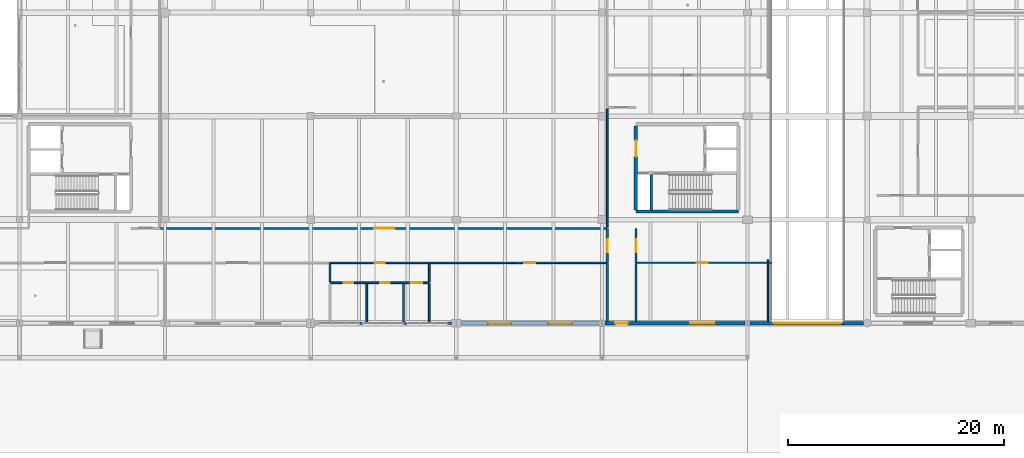
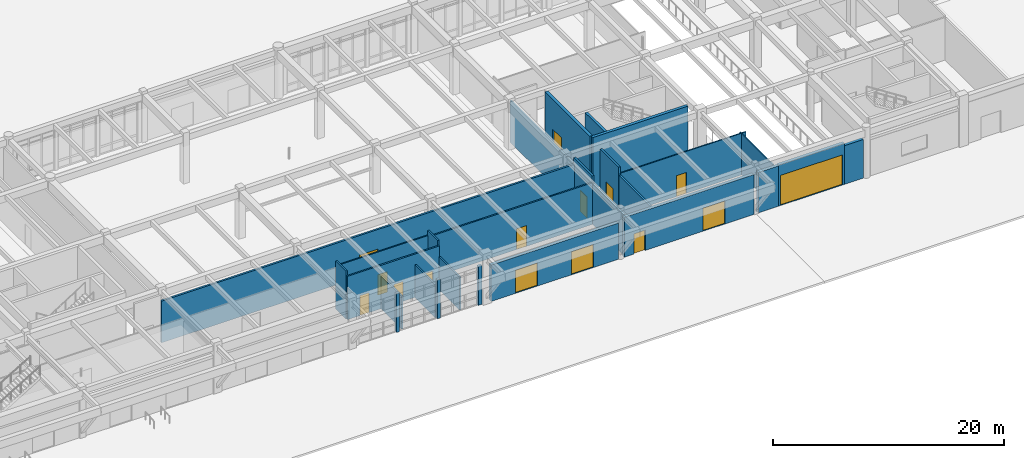
# One storey, part 110 of 138: 27 walls, 15 doors, 15 openings.
"""IFC4 building model written with IfcOpenShell, lengths in metres."""

from ifc_helpers import new_model, si_unit, direction, frame, frame_2d, origin, place, context, subcontext, project, spatial, rectangle, extrude, material, layer, layer_set, type_object, element, fill, save


model = new_model("IFC4")

# Units and contexts
model_context = context("Model", 3, precision=1e-05, world=origin(), true_north=direction((0.0, 1.0)))
body_context = subcontext(model_context, "Body", "Model", "MODEL_VIEW")
ifc_project = project(units=[si_unit("LENGTHUNIT", "METRE"), si_unit("AREAUNIT", "SQUARE_METRE"), si_unit("VOLUMEUNIT", "CUBIC_METRE"), si_unit("PLANEANGLEUNIT", "RADIAN"), si_unit("MASSUNIT", "GRAM", prefix="KILO")], contexts=[model_context])

# Site, building, storey
site_placement = place(None, origin())
site = spatial("IfcSite", under=ifc_project, at=site_placement, CompositionType="ELEMENT")
building_placement = place(site_placement, origin())
building = spatial("IfcBuilding", under=site, at=building_placement, Name="Fikremerkos Civic Library", CompositionType="ELEMENT")
storey_placement = place(building_placement, origin())
storey = spatial("IfcBuildingStorey", under=building, at=storey_placement, Name="L00", CompositionType="ELEMENT", Elevation=0.0)

# Wall
ifc_material_1 = material(Name="Concrete C40/50", Category="concrete")
ifc_layer_1 = layer(ifc_material_1, 0.300048828125, Name="Concrete C40/50")
ifc_layer_set_1 = layer_set([ifc_layer_1], Name="Concrete C40/50")
wall_type_1 = type_object("IfcWallType", Name="Core shear wall CSW-01 300", PredefinedType="SHEAR", material=ifc_layer_set_1)
wall_1_placement = place(storey_placement, frame((112.85009765625, 22.35009765625, 0.0), z_axis=(0.0, 0.0, 1.0), x_axis=(-1.0, 0.0, 0.0)))
element("IfcWall", 1, at=wall_1_placement, inside=storey, type_object=wall_type_1, Name="Core K2 south shear wall L00", PredefinedType="SHEAR", context=body_context, shape_type="SweptSolid", body=[
    extrude(rectangle(XDim=9.5, YDim=0.300048828125, at=frame_2d((4.75, 0.0))), origin(), (0.0, 0.0, 1.0), 5.39990234375),
])

# Wall, opening, door
wall_2_placement = place(storey_placement, frame((103.35009765625, 22.501953125, 0.0), z_axis=(0.0, 0.0, 1.0), x_axis=(0.0, 1.0, 0.0)))
wall_2 = element("IfcWall", 2, at=wall_2_placement, inside=storey, type_object=wall_type_1, Name="Core K2 west shear wall L00", PredefinedType="SHEAR", context=body_context, shape_type="SweptSolid", body=[
    extrude(rectangle(XDim=7.796142578125, YDim=0.300048828125, at=frame_2d((3.89794921875, 0.0))), origin(), (0.0, 0.0, 1.0), 5.39990234375),
])
opening_1_placement = place(wall_2_placement, frame((4.947998046875, 0.0, 0.0)))
opening_1 = element("IfcOpeningElement", 3, at=opening_1_placement, cuts=wall_2, Name="Opening D059", PredefinedType="OPENING", context=body_context, shape_type="SweptSolid", body=[
    extrude(rectangle(XDim=1.5, YDim=2.25, at=frame_2d((0.75, 1.125))), frame((0.0, 0.159912109375, 0.0), z_axis=(0.0, -1.0, 0.0), x_axis=(1.0, 0.0, 0.0)), (0.0, 0.0, 1.0), 0.320068359375),
])
ifc_material_2 = material(Name="Hardwood timber and acoustic glass", Category="wood")
door_type_1 = type_object("IfcDoorType", Name="Pedestrian door DT-05 1500x2250", OperationType="NOTDEFINED", PredefinedType="DOOR", material=ifc_material_2)
door_1_placement = place(opening_1_placement, origin())
door_1 = element("IfcDoor", 4, at=door_1_placement, inside=storey, type_object=door_type_1, Name="Core K2 lobby fire door D059 L00", OperationType="SINGLE_SWING_LEFT", OverallHeight=2.25, OverallWidth=1.5, PredefinedType="DOOR", context=body_context, shape_type="SweptSolid", body=[
    extrude(rectangle(XDim=1.5, YDim=2.25, at=frame_2d((0.75, 1.125))), frame((0.0, 0.032470703125, 0.0), z_axis=(0.0, -1.0, 0.0), x_axis=(1.0, 0.0, 0.0)), (0.0, 0.0, 1.0), 0.06494140625),
])
fill(opening_1, door_1)

# Walls
ifc_layer_2 = layer(ifc_material_1, 0.260009765625, Name="Concrete C40/50")
ifc_layer_set_2 = layer_set([ifc_layer_2], Name="Concrete C40/50")
wall_type_2 = type_object("IfcWallType", Name="Core shear wall CSW-02 260", PredefinedType="SHEAR", material=ifc_layer_set_2)
wall_3_placement = place(storey_placement, frame((104.77001953125, 22.501953125, 0.0), z_axis=(0.0, 0.0, 1.0), x_axis=(0.0, 1.0, 0.0)))
element("IfcWall", 5, at=wall_3_placement, inside=storey, type_object=wall_type_2, Name="Core K2 stair-riser shear wall L00", PredefinedType="SHEAR", context=body_context, shape_type="SweptSolid", body=[
    extrude(rectangle(XDim=3.296142578125, YDim=0.260009765625, at=frame_2d((1.64794921875, 0.0))), origin(), (0.0, 0.0, 1.0), 5.39990234375),
])
ifc_material_3 = material(Name="Precast concrete C40/50", Category="concrete")
ifc_layer_3 = layer(ifc_material_3, 0.320068359375, Name="Precast concrete C40/50")
ifc_layer_set_3 = layer_set([ifc_layer_3], Name="Precast concrete C40/50")
wall_type_3 = type_object("IfcWallType", Name="Exterior solid wall ESW-02 320", PredefinedType="SOLIDWALL", material=ifc_layer_set_3)
wall_4_placement = place(storey_placement, frame((115.947998046875, 12.0, 0.0), z_axis=(0.0, 0.0, 1.0), x_axis=(-1.0, 0.0, 0.0)))
element("IfcWall", 6, at=wall_4_placement, inside=storey, type_object=wall_type_3, Name="Exterior solid wall ESW-02 L00 #166", PredefinedType="SOLIDWALL", context=body_context, shape_type="SweptSolid", body=[
    extrude(rectangle(XDim=2.02490234375, YDim=0.320068359375, at=frame_2d((1.012451171875, 0.0))), origin(), (0.0, 0.0, 1.0), 4.27001953125),
])

# Wall, openings, doors
wall_5_placement = place(storey_placement, frame((113.47705078125, 12.0, 0.0), z_axis=(0.0, 0.0, 1.0), x_axis=(-1.0, 0.0, 0.0)))
wall_5 = element("IfcWall", 7, at=wall_5_placement, inside=storey, type_object=wall_type_3, Name="Exterior ground wall ESW-02 #167", PredefinedType="SOLIDWALL", context=body_context, shape_type="SweptSolid", body=[
    extrude(rectangle(XDim=12.97900390625, YDim=0.320068359375, at=frame_2d((6.489501953125, 0.0))), origin(), (0.0, 0.0, 1.0), 4.219970703125),
])
opening_2_placement = place(wall_5_placement, frame((10.882080078125, 0.0, 0.0)))
opening_2 = element("IfcOpeningElement", 8, at=opening_2_placement, cuts=wall_5, Name="Opening D001", PredefinedType="OPENING", context=body_context, shape_type="SweptSolid", body=[
    extrude(rectangle(XDim=1.14990234375, YDim=2.14990234375, at=frame_2d((0.574951171875, 1.074951171875))), frame((0.0, 0.169921875, 0.0), z_axis=(0.0, -1.0, 0.0), x_axis=(1.0, 0.0, 0.0)), (0.0, 0.0, 1.0), 0.340087890625),
])
opening_3_placement = place(wall_5_placement, frame((2.876953125, 0.0, 0.0)))
opening_3 = element("IfcOpeningElement", 9, at=opening_3_placement, cuts=wall_5, Name="Opening D002", PredefinedType="OPENING", context=body_context, shape_type="SweptSolid", body=[
    extrude(rectangle(XDim=2.199951171875, YDim=2.449951171875, at=frame_2d((1.10009765625, 1.22509765625))), frame((0.0, 0.169921875, 0.0), z_axis=(0.0, -1.0, 0.0), x_axis=(1.0, 0.0, 0.0)), (0.0, 0.0, 1.0), 0.340087890625),
])
ifc_material_4 = material(Name="Thermally broken bronze aluminium and glass", Category="aluminium")
door_type_2 = type_object("IfcDoorType", Name="Pedestrian door DT-10 2200x2450", OperationType="NOTDEFINED", PredefinedType="DOOR", material=ifc_material_4)
door_2_placement = place(opening_3_placement, origin())
door_2 = element("IfcDoor", 10, at=door_2_placement, inside=storey, type_object=door_type_2, Name="Ground final exit pedestrian door D002", OperationType="SINGLE_SWING_LEFT", OverallHeight=2.449951171875, OverallWidth=2.199951171875, PredefinedType="DOOR", context=body_context, shape_type="SweptSolid", body=[
    extrude(rectangle(XDim=2.199951171875, YDim=2.449951171875, at=frame_2d((1.10009765625, 1.22509765625))), frame((0.0, 0.032470703125, 0.0), z_axis=(0.0, -1.0, 0.0), x_axis=(1.0, 0.0, 0.0)), (0.0, 0.0, 1.0), 0.06494140625),
])
fill(opening_3, door_2)
door_type_3 = type_object("IfcDoorType", Name="Pedestrian door DT-14 1150x2150", OperationType="NOTDEFINED", PredefinedType="DOOR", material=ifc_material_4)
door_3_placement = place(opening_2_placement, origin())
door_3 = element("IfcDoor", 11, at=door_3_placement, inside=storey, type_object=door_type_3, Name="Core K2 final exit discharge door D001", OperationType="SINGLE_SWING_RIGHT", OverallHeight=2.14990234375, OverallWidth=1.14990234375, PredefinedType="DOOR", context=body_context, shape_type="SweptSolid", body=[
    extrude(rectangle(XDim=1.14990234375, YDim=2.14990234375, at=frame_2d((0.574951171875, 1.074951171875))), frame((0.0, 0.032470703125, 0.0), z_axis=(0.0, -1.0, 0.0), x_axis=(1.0, 0.0, 0.0)), (0.0, 0.0, 1.0), 0.06494140625),
])
fill(opening_2, door_3)

wall_6_placement = place(storey_placement, frame((99.902099609375, 12.0, 0.0), z_axis=(0.0, 0.0, 1.0), x_axis=(-1.0, 0.0, 0.0)))
wall_6 = element("IfcWall", 12, at=wall_6_placement, inside=storey, type_object=wall_type_3, Name="Exterior ground wall ESW-02 #168", PredefinedType="SOLIDWALL", context=body_context, shape_type="SweptSolid", body=[
    extrude(rectangle(XDim=12.754150390625, YDim=0.320068359375, at=frame_2d((6.376953125, 0.0))), origin(), (0.0, 0.0, 1.0), 3.840087890625),
])
opening_4_placement = place(wall_6_placement, frame((2.47119140625, 0.0, 0.0)))
opening_4 = element("IfcOpeningElement", 13, at=opening_4_placement, cuts=wall_6, Name="Opening D003", PredefinedType="OPENING", context=body_context, shape_type="SweptSolid", body=[
    extrude(rectangle(XDim=2.199951171875, YDim=2.449951171875, at=frame_2d((1.10009765625, 1.22509765625))), frame((0.0, 0.169921875, 0.0), z_axis=(0.0, -1.0, 0.0), x_axis=(1.0, 0.0, 0.0)), (0.0, 0.0, 1.0), 0.340087890625),
])
opening_5_placement = place(wall_6_placement, frame((8.082763671875, 0.0, 0.0)))
opening_5 = element("IfcOpeningElement", 14, at=opening_5_placement, cuts=wall_6, Name="Opening D004", PredefinedType="OPENING", context=body_context, shape_type="SweptSolid", body=[
    extrude(rectangle(XDim=2.199951171875, YDim=2.449951171875, at=frame_2d((1.10009765625, 1.22509765625))), frame((0.0, 0.169921875, 0.0), z_axis=(0.0, -1.0, 0.0), x_axis=(1.0, 0.0, 0.0)), (0.0, 0.0, 1.0), 0.340087890625),
])
door_4_placement = place(opening_4_placement, origin())
door_4 = element("IfcDoor", 15, at=door_4_placement, inside=storey, type_object=door_type_2, Name="Ground final exit pedestrian door D003", OperationType="SINGLE_SWING_LEFT", OverallHeight=2.449951171875, OverallWidth=2.199951171875, PredefinedType="DOOR", context=body_context, shape_type="SweptSolid", body=[
    extrude(rectangle(XDim=2.199951171875, YDim=2.449951171875, at=frame_2d((1.10009765625, 1.22509765625))), frame((0.0, 0.032470703125, 0.0), z_axis=(0.0, -1.0, 0.0), x_axis=(1.0, 0.0, 0.0)), (0.0, 0.0, 1.0), 0.06494140625),
])
fill(opening_4, door_4)
door_5_placement = place(opening_5_placement, origin())
door_5 = element("IfcDoor", 16, at=door_5_placement, inside=storey, type_object=door_type_2, Name="Ground final exit pedestrian door D004", OperationType="SINGLE_SWING_RIGHT", OverallHeight=2.449951171875, OverallWidth=2.199951171875, PredefinedType="DOOR", context=body_context, shape_type="SweptSolid", body=[
    extrude(rectangle(XDim=2.199951171875, YDim=2.449951171875, at=frame_2d((1.10009765625, 1.22509765625))), frame((0.0, 0.032470703125, 0.0), z_axis=(0.0, -1.0, 0.0), x_axis=(1.0, 0.0, 0.0)), (0.0, 0.0, 1.0), 0.06494140625),
])
fill(opening_5, door_5)

# Wall, opening, door
wall_7_placement = place(storey_placement, frame((122.548095703125, 12.0, 0.0), z_axis=(0.0, 0.0, 1.0), x_axis=(-1.0, 0.0, 0.0)))
wall_7 = element("IfcWall", 17, at=wall_7_placement, inside=storey, type_object=wall_type_3, Name="Exterior ground wall ESW-02 #323", PredefinedType="SOLIDWALL", context=body_context, shape_type="SweptSolid", body=[
    extrude(rectangle(XDim=6.59619140625, YDim=0.320068359375, at=frame_2d((3.298095703125, 0.0))), origin(), (0.0, 0.0, 1.0), 4.340087890625),
])
opening_6_placement = place(wall_7_placement, frame((0.197998046875, 0.0, 0.0)))
opening_6 = element("IfcOpeningElement", 18, at=opening_6_placement, cuts=wall_7, Name="Opening VG01", PredefinedType="OPENING", context=body_context, shape_type="SweptSolid", body=[
    extrude(rectangle(XDim=6.199951171875, YDim=3.199951171875, at=frame_2d((3.10009765625, 1.60009765625))), frame((0.0, 0.169921875, 0.0), z_axis=(0.0, -1.0, 0.0), x_axis=(1.0, 0.0, 0.0)), (0.0, 0.0, 1.0), 0.340087890625),
])
ifc_material_5 = material(Name="Galvanized insulated steel lath", Category="steel")
door_type_4 = type_object("IfcDoorType", Name="Service roller gate VG-01 6200x3200", OperationType="ROLLINGUP", PredefinedType="GATE", material=ifc_material_5)
door_6_placement = place(opening_6_placement, origin())
door_6 = element("IfcDoor", 19, at=door_6_placement, inside=storey, type_object=door_type_4, Name="Car park vehicle ramp roller gate VG01", OperationType="ROLLINGUP", OverallHeight=3.199951171875, OverallWidth=6.199951171875, PredefinedType="GATE", context=body_context, shape_type="SweptSolid", body=[
    extrude(rectangle(XDim=6.199951171875, YDim=3.199951171875, at=frame_2d((3.10009765625, 1.60009765625))), frame((0.0, 0.032470703125, 0.0), z_axis=(0.0, -1.0, 0.0), x_axis=(1.0, 0.0, 0.0)), (0.0, 0.0, 1.0), 0.06494140625),
])
fill(opening_6, door_6)

# Walls
ifc_layer_4 = layer(ifc_material_3, 0.300048828125, Name="Precast concrete C40/50")
ifc_layer_set_4 = layer_set([ifc_layer_4], Name="Precast concrete C40/50")
wall_type_4 = type_object("IfcWallType", Name="Exterior solid wall ESW-03 300", PredefinedType="SOLIDWALL", material=ifc_layer_set_4)
wall_8_placement = place(storey_placement, frame((124.451904296875, 12.0, 0.0), z_axis=(0.0, 0.0, 1.0), x_axis=(-1.0, 0.0, 0.0)))
element("IfcWall", 20, at=wall_8_placement, inside=storey, type_object=wall_type_4, Name="Exterior solid wall ESW-03 L00 #322", PredefinedType="SOLIDWALL", context=body_context, shape_type="SweptSolid", body=[
    extrude(rectangle(XDim=1.89990234375, YDim=0.300048828125, at=frame_2d((0.949951171875, 0.0))), origin(), (0.0, 0.0, 1.0), 4.090087890625),
])
ifc_layer_5 = layer(ifc_material_3, 0.25, Name="Precast concrete C40/50")
ifc_layer_set_5 = layer_set([ifc_layer_5], Name="Precast concrete C40/50")
wall_type_5 = type_object("IfcWallType", Name="Exterior solid wall ESW-05 250", PredefinedType="SOLIDWALL", material=ifc_layer_set_5)
wall_9_placement = place(storey_placement, frame((86.251953125, 12.0, 0.0), z_axis=(0.0, 0.0, 1.0), x_axis=(-1.0, 0.0, 0.0)))
element("IfcWall", 21, at=wall_9_placement, inside=storey, type_object=wall_type_5, Name="Exterior facade pier ESW-05 #169", PredefinedType="SOLIDWALL", context=body_context, shape_type="SweptSolid", body=[
    extrude(rectangle(XDim=0.349853515625, YDim=0.25, at=frame_2d((0.1748046875, 0.0))), origin(), (0.0, 0.0, 1.0), 4.1201171875),
])
wall_10_placement = place(storey_placement, frame((82.10888671875, 12.0, 0.0), z_axis=(0.0, 0.0, 1.0), x_axis=(-1.0, 0.0, 0.0)))
element("IfcWall", 22, at=wall_10_placement, inside=storey, type_object=wall_type_5, Name="Exterior facade mullion pier ESW-05 #171", PredefinedType="SOLIDWALL", context=body_context, shape_type="SweptSolid", body=[
    extrude(rectangle(XDim=0.2998046875, YDim=0.25, at=frame_2d((0.14990234375, 0.0))), origin(), (0.0, 0.0, 1.0), 4.1201171875),
])
wall_11_placement = place(storey_placement, frame((78.01611328125, 12.0, 0.0), z_axis=(0.0, 0.0, 1.0), x_axis=(-1.0, 0.0, 0.0)))
element("IfcWall", 23, at=wall_11_placement, inside=storey, type_object=wall_type_5, Name="Exterior facade mullion pier ESW-05 #172", PredefinedType="SOLIDWALL", context=body_context, shape_type="SweptSolid", body=[
    extrude(rectangle(XDim=0.300048828125, YDim=0.25, at=frame_2d((0.14990234375, 0.0))), origin(), (0.0, 0.0, 1.0), 4.1201171875),
])

# Wall, opening, door
ifc_material_6 = material(Name="Acoustic concrete blockwork", Category="masonry")
ifc_layer_6 = layer(ifc_material_6, 0.18994140625, Name="Acoustic concrete blockwork")
ifc_layer_set_6 = layer_set([ifc_layer_6], Name="Acoustic concrete blockwork")
wall_type_6 = type_object("IfcWallType", Name="Interior partition wall IPW-01 190", PredefinedType="PARTITIONING", material=ifc_layer_set_6)
wall_12_placement = place(storey_placement, frame((100.699951171875, 17.60009765625, 0.0), z_axis=(0.0, 0.0, 1.0), x_axis=(0.0, 1.0, 0.0)))
wall_12 = element("IfcWall", 24, at=wall_12_placement, inside=storey, type_object=wall_type_6, Name="Interior wall IPW-01 L00 #94", PredefinedType="PARTITIONING", context=body_context, shape_type="SweptSolid", body=[
    extrude(rectangle(XDim=3.199951171875, YDim=0.18994140625, at=frame_2d((1.60009765625, 0.0))), origin(), (0.0, 0.0, 1.0), 5.080078125),
])
opening_7_placement = place(wall_12_placement, frame((1.0, 0.0, 0.0)))
opening_7 = element("IfcOpeningElement", 25, at=opening_7_placement, cuts=wall_12, Name="Opening D190", PredefinedType="OPENING", context=body_context, shape_type="SweptSolid", body=[
    extrude(rectangle(XDim=1.199951171875, YDim=2.199951171875, at=frame_2d((0.60009765625, 1.10009765625))), frame((0.0, 0.10498046875, 0.0), z_axis=(0.0, -1.0, 0.0), x_axis=(1.0, 0.0, 0.0)), (0.0, 0.0, 1.0), 0.2099609375),
])
door_type_5 = type_object("IfcDoorType", Name="Pedestrian door DT-06 1200x2200", OperationType="NOTDEFINED", PredefinedType="DOOR", material=ifc_material_2)
door_7_placement = place(opening_7_placement, origin())
door_7 = element("IfcDoor", 26, at=door_7_placement, inside=storey, type_object=door_type_5, Name="Interior door D190 L00", OperationType="SINGLE_SWING_LEFT", OverallHeight=2.199951171875, OverallWidth=1.199951171875, PredefinedType="DOOR", context=body_context, shape_type="SweptSolid", body=[
    extrude(rectangle(XDim=1.199951171875, YDim=2.199951171875, at=frame_2d((0.60009765625, 1.10009765625))), frame((0.0, 0.032470703125, 0.0), z_axis=(0.0, -1.0, 0.0), x_axis=(1.0, 0.0, 0.0)), (0.0, 0.0, 1.0), 0.06494140625),
])
fill(opening_7, door_7)

wall_13_placement = place(storey_placement, frame((103.35009765625, 17.60009765625, 0.0), z_axis=(0.0, 0.0, 1.0), x_axis=(0.0, 1.0, 0.0)))
wall_13 = element("IfcWall", 27, at=wall_13_placement, inside=storey, type_object=wall_type_6, Name="Interior wall IPW-01 L00 #95", PredefinedType="PARTITIONING", context=body_context, shape_type="SweptSolid", body=[
    extrude(rectangle(XDim=3.199951171875, YDim=0.18994140625, at=frame_2d((1.60009765625, 0.0))), origin(), (0.0, 0.0, 1.0), 5.080078125),
])
opening_8_placement = place(wall_13_placement, frame((1.0, 0.0, 0.0)))
opening_8 = element("IfcOpeningElement", 28, at=opening_8_placement, cuts=wall_13, Name="Opening D191", PredefinedType="OPENING", context=body_context, shape_type="SweptSolid", body=[
    extrude(rectangle(XDim=1.199951171875, YDim=2.199951171875, at=frame_2d((0.60009765625, 1.10009765625))), frame((0.0, 0.10498046875, 0.0), z_axis=(0.0, -1.0, 0.0), x_axis=(1.0, 0.0, 0.0)), (0.0, 0.0, 1.0), 0.2099609375),
])
door_8_placement = place(opening_8_placement, origin())
door_8 = element("IfcDoor", 29, at=door_8_placement, inside=storey, type_object=door_type_5, Name="Interior door D191 L00", OperationType="SINGLE_SWING_RIGHT", OverallHeight=2.199951171875, OverallWidth=1.199951171875, PredefinedType="DOOR", context=body_context, shape_type="SweptSolid", body=[
    extrude(rectangle(XDim=1.199951171875, YDim=2.199951171875, at=frame_2d((0.60009765625, 1.10009765625))), frame((0.0, 0.032470703125, 0.0), z_axis=(0.0, -1.0, 0.0), x_axis=(1.0, 0.0, 0.0)), (0.0, 0.0, 1.0), 0.06494140625),
])
fill(opening_8, door_8)

wall_14_placement = place(storey_placement, frame((59.280029296875, 20.800048828125, 0.0), z_axis=(0.0, 0.0, 1.0), x_axis=(1.0, 0.0, 0.0)))
wall_14 = element("IfcWall", 30, at=wall_14_placement, inside=storey, type_object=wall_type_6, Name="Interior wall IPW-01 L00 #104", PredefinedType="PARTITIONING", context=body_context, shape_type="SweptSolid", body=[
    extrude(rectangle(XDim=41.369873046875, YDim=0.18994140625, at=frame_2d((20.68505859375, 0.0))), origin(), (0.0, 0.0, 1.0), 4.419921875),
])
opening_9_placement = place(wall_14_placement, frame((19.794921875, 0.0, 0.0)))
opening_9 = element("IfcOpeningElement", 31, at=opening_9_placement, cuts=wall_14, Name="Opening D170", PredefinedType="OPENING", context=body_context, shape_type="SweptSolid", body=[
    extrude(rectangle(XDim=1.85009765625, YDim=2.35009765625, at=frame_2d((0.925048828125, 1.175048828125))), frame((0.0, 0.10498046875, 0.0), z_axis=(0.0, -1.0, 0.0), x_axis=(1.0, 0.0, 0.0)), (0.0, 0.0, 1.0), 0.2099609375),
])
door_type_6 = type_object("IfcDoorType", Name="Pedestrian door DT-09 1850x2350", OperationType="NOTDEFINED", PredefinedType="DOOR", material=ifc_material_2)
door_9_placement = place(opening_9_placement, origin())
door_9 = element("IfcDoor", 32, at=door_9_placement, inside=storey, type_object=door_type_6, Name="Interior door D170 L00", OperationType="SINGLE_SWING_RIGHT", OverallHeight=2.35009765625, OverallWidth=1.85009765625, PredefinedType="DOOR", context=body_context, shape_type="SweptSolid", body=[
    extrude(rectangle(XDim=1.85009765625, YDim=2.35009765625, at=frame_2d((0.925048828125, 1.175048828125))), frame((0.0, 0.032470703125, 0.0), z_axis=(0.0, -1.0, 0.0), x_axis=(1.0, 0.0, 0.0)), (0.0, 0.0, 1.0), 0.06494140625),
])
fill(opening_9, door_9)

# Walls
for number, where, z_axis, x_axis, name in (
    (33, (100.699951171875, 12.1630859375, 0.0), (0.0, 0.0, 1.0), (0.0, 1.0, 0.0), "Interior wall IPW-01 L00 #128"),
    (34, (103.35009765625, 12.1630859375, 0.0), (0.0, 0.0, 1.0), (0.0, 1.0, 0.0), "Interior wall IPW-01 L00 #132"),
):
    element("IfcWall", number, at=place(storey_placement, frame(where, z_axis=z_axis, x_axis=x_axis)), inside=storey, type_object=wall_type_6, Name=name, PredefinedType="PARTITIONING", context=body_context, shape_type="SweptSolid", body=[
        extrude(rectangle(XDim=5.35693359375, YDim=0.18994140625, at=frame_2d((2.678466796875, 0.0))), origin(), (0.0, 0.0, 1.0), 4.27001953125),
    ])

# Wall, opening, door
ifc_material_7 = material(Name="Acoustic gypsum stud partition")
ifc_layer_7 = layer(ifc_material_7, 0.14990234375, Name="Acoustic gypsum stud partition")
ifc_layer_set_7 = layer_set([ifc_layer_7], Name="Acoustic gypsum stud partition")
wall_type_7 = type_object("IfcWallType", Name="Interior partition wall IPW-02 150", PredefinedType="PARTITIONING", material=ifc_layer_set_7)
wall_15_placement = place(storey_placement, frame((84.25, 17.60009765625, 0.0), z_axis=(0.0, 0.0, 1.0), x_axis=(1.0, 0.0, 0.0)))
wall_15 = element("IfcWall", 35, at=wall_15_placement, inside=storey, type_object=wall_type_7, Name="Interior wall IPW-02 L00 #109", PredefinedType="PARTITIONING", context=body_context, shape_type="SweptSolid", body=[
    extrude(rectangle(XDim=16.39990234375, YDim=0.14990234375, at=frame_2d((8.199951171875, 0.0))), origin(), (0.0, 0.0, 1.0), 4.419921875),
])
opening_10_placement = place(wall_15_placement, frame((8.75, 0.0, 0.0)))
opening_10 = element("IfcOpeningElement", 36, at=opening_10_placement, cuts=wall_15, Name="Opening D168", PredefinedType="OPENING", context=body_context, shape_type="SweptSolid", body=[
    extrude(rectangle(XDim=1.0, YDim=2.199951171875, at=frame_2d((0.5, 1.10009765625))), frame((0.0, 0.0849609375, 0.0), z_axis=(0.0, -1.0, 0.0), x_axis=(1.0, 0.0, 0.0)), (0.0, 0.0, 1.0), 0.169921875),
])
door_type_7 = type_object("IfcDoorType", Name="Pedestrian door DT-01 1000x2200", OperationType="NOTDEFINED", PredefinedType="DOOR", material=ifc_material_2)
door_10_placement = place(opening_10_placement, origin())
door_10 = element("IfcDoor", 37, at=door_10_placement, inside=storey, type_object=door_type_7, Name="Interior door D168 L00", OperationType="SINGLE_SWING_LEFT", OverallHeight=2.199951171875, OverallWidth=1.0, PredefinedType="DOOR", context=body_context, shape_type="SweptSolid", body=[
    extrude(rectangle(XDim=1.0, YDim=2.199951171875, at=frame_2d((0.5, 1.10009765625))), frame((0.0, 0.032470703125, 0.0), z_axis=(0.0, -1.0, 0.0), x_axis=(1.0, 0.0, 0.0)), (0.0, 0.0, 1.0), 0.06494140625),
])
fill(opening_10, door_10)

# Wall
wall_16_placement = place(storey_placement, frame((100.699951171875, 20.8798828125, 0.0), z_axis=(0.0, 0.0, 1.0), x_axis=(0.0, 1.0, 0.0)))
element("IfcWall", 38, at=wall_16_placement, inside=storey, type_object=wall_type_7, Name="Interior wall IPW-02 L00 #129", PredefinedType="PARTITIONING", context=body_context, shape_type="SweptSolid", body=[
    extrude(rectangle(XDim=11.01513671875, YDim=0.14990234375, at=frame_2d((5.507568359375, 0.0))), origin(), (0.0, 0.0, 1.0), 4.419921875),
])

# Wall, opening, door
ifc_material_8 = material(Name="Gypsum metal stud partition")
ifc_layer_8 = layer(ifc_material_8, 0.1298828125, Name="Gypsum metal stud partition")
ifc_layer_set_8 = layer_set([ifc_layer_8], Name="Gypsum metal stud partition")
wall_type_8 = type_object("IfcWallType", Name="Interior partition wall IPW-03 130", PredefinedType="PARTITIONING", material=ifc_layer_set_8)
wall_17_placement = place(storey_placement, frame((75.050048828125, 17.60009765625, 0.0), z_axis=(0.0, 0.0, 1.0), x_axis=(1.0, 0.0, 0.0)))
wall_17 = element("IfcWall", 39, at=wall_17_placement, inside=storey, type_object=wall_type_8, Name="Interior wall IPW-03 L00 #106", PredefinedType="PARTITIONING", context=body_context, shape_type="SweptSolid", body=[
    extrude(rectangle(XDim=9.099853515625, YDim=0.1298828125, at=frame_2d((4.5498046875, 0.0))), origin(), (0.0, 0.0, 1.0), 4.590087890625),
])
opening_11_placement = place(wall_17_placement, frame((4.074951171875, 0.0, 0.0)))
opening_11 = element("IfcOpeningElement", 40, at=opening_11_placement, cuts=wall_17, Name="Opening D160", PredefinedType="OPENING", context=body_context, shape_type="SweptSolid", body=[
    extrude(rectangle(XDim=0.949951171875, YDim=2.14990234375, at=frame_2d((0.47509765625, 1.074951171875))), frame((0.0, 0.074951171875, 0.0), z_axis=(0.0, -1.0, 0.0), x_axis=(1.0, 0.0, 0.0)), (0.0, 0.0, 1.0), 0.14990234375),
])
door_type_8 = type_object("IfcDoorType", Name="Pedestrian door DT-02 950x2150", OperationType="NOTDEFINED", PredefinedType="DOOR", material=ifc_material_2)
door_11_placement = place(opening_11_placement, origin())
door_11 = element("IfcDoor", 41, at=door_11_placement, inside=storey, type_object=door_type_8, Name="Interior door D160 L00", OperationType="SINGLE_SWING_LEFT", OverallHeight=2.14990234375, OverallWidth=0.949951171875, PredefinedType="DOOR", context=body_context, shape_type="SweptSolid", body=[
    extrude(rectangle(XDim=0.949951171875, YDim=2.14990234375, at=frame_2d((0.47509765625, 1.074951171875))), frame((0.0, 0.032470703125, 0.0), z_axis=(0.0, -1.0, 0.0), x_axis=(1.0, 0.0, 0.0)), (0.0, 0.0, 1.0), 0.06494140625),
])
fill(opening_11, door_11)

# Wall
wall_18_placement = place(storey_placement, frame((115.60009765625, 12.1630859375, 0.0), z_axis=(0.0, 0.0, 1.0), x_axis=(0.0, 1.0, 0.0)))
element("IfcWall", 42, at=wall_18_placement, inside=storey, type_object=wall_type_8, Name="Interior wall IPW-03 L00 #134", PredefinedType="PARTITIONING", context=body_context, shape_type="SweptSolid", body=[
    extrude(rectangle(XDim=5.7119140625, YDim=0.1298828125, at=frame_2d((2.85595703125, 0.0))), origin(), (0.0, 0.0, 1.0), 4.340087890625),
])

# Wall, opening, door
ifc_material_9 = material(Name="Lightweight metal stud partition")
ifc_layer_9 = layer(ifc_material_9, 0.110107421875, Name="Lightweight metal stud partition")
ifc_layer_set_9 = layer_set([ifc_layer_9], Name="Lightweight metal stud partition")
wall_type_9 = type_object("IfcWallType", Name="Interior partition wall IPW-04 110", PredefinedType="PARTITIONING", material=ifc_layer_set_9)
wall_19_placement = place(storey_placement, frame((103.39990234375, 17.60009765625, 0.0), z_axis=(0.0, 0.0, 1.0), x_axis=(1.0, 0.0, 0.0)))
wall_19 = element("IfcWall", 43, at=wall_19_placement, inside=storey, type_object=wall_type_9, Name="Interior wall IPW-04 L00 #111", PredefinedType="PARTITIONING", context=body_context, shape_type="SweptSolid", body=[
    extrude(rectangle(XDim=12.570068359375, YDim=0.110107421875, at=frame_2d((6.28515625, 0.0))), origin(), (0.0, 0.0, 1.0), 4.419921875),
])
opening_12_placement = place(wall_19_placement, frame((5.60009765625, 0.0, 0.0)))
opening_12 = element("IfcOpeningElement", 44, at=opening_12_placement, cuts=wall_19, Name="Opening D169", PredefinedType="OPENING", context=body_context, shape_type="SweptSolid", body=[
    extrude(rectangle(XDim=1.0, YDim=2.199951171875, at=frame_2d((0.5, 1.10009765625))), frame((0.0, 0.06494140625, 0.0), z_axis=(0.0, -1.0, 0.0), x_axis=(1.0, 0.0, 0.0)), (0.0, 0.0, 1.0), 0.130126953125),
])
door_12_placement = place(opening_12_placement, origin())
door_12 = element("IfcDoor", 45, at=door_12_placement, inside=storey, type_object=door_type_7, Name="Interior door D169 L00", OperationType="SINGLE_SWING_RIGHT", OverallHeight=2.199951171875, OverallWidth=1.0, PredefinedType="DOOR", context=body_context, shape_type="SweptSolid", body=[
    extrude(rectangle(XDim=1.0, YDim=2.199951171875, at=frame_2d((0.5, 1.10009765625))), frame((0.0, 0.032470703125, 0.0), z_axis=(0.0, -1.0, 0.0), x_axis=(1.0, 0.0, 0.0)), (0.0, 0.0, 1.0), 0.06494140625),
])
fill(opening_12, door_12)

# Wall, openings, doors
ifc_material_10 = material(Name="Aerated concrete blockwork", Category="masonry")
ifc_layer_10 = layer(ifc_material_10, 0.159912109375, Name="Aerated concrete blockwork")
ifc_layer_set_10 = layer_set([ifc_layer_10], Name="Aerated concrete blockwork")
wall_type_10 = type_object("IfcWallType", Name="Service duct wall SDW-02 160", PredefinedType="PLUMBINGWALL", material=ifc_layer_set_10)
wall_20_placement = place(storey_placement, frame((75.0, 15.75, 0.0), z_axis=(0.0, 0.0, 1.0), x_axis=(1.0, 0.0, 0.0)))
wall_20 = element("IfcWall", 46, at=wall_20_placement, inside=storey, type_object=wall_type_10, Name="Interior wall SDW-02 L00 #74", PredefinedType="PLUMBINGWALL", context=body_context, shape_type="SweptSolid", body=[
    extrude(rectangle(XDim=9.199951171875, YDim=0.159912109375, at=frame_2d((4.60009765625, 0.0))), origin(), (0.0, 0.0, 1.0), 4.590087890625),
])
opening_13_placement = place(wall_20_placement, frame((1.25, 0.0, 0.0)))
opening_13 = element("IfcOpeningElement", 47, at=opening_13_placement, cuts=wall_20, Name="Opening D161", PredefinedType="OPENING", context=body_context, shape_type="SweptSolid", body=[
    extrude(rectangle(XDim=0.89990234375, YDim=2.10009765625, at=frame_2d((0.449951171875, 1.050048828125))), frame((0.0, 0.08984375, 0.0), z_axis=(0.0, -1.0, 0.0), x_axis=(1.0, 0.0, 0.0)), (0.0, 0.0, 1.0), 0.179931640625),
])
opening_14_placement = place(wall_20_placement, frame((4.64990234375, 0.0, 0.0)))
opening_14 = element("IfcOpeningElement", 48, at=opening_14_placement, cuts=wall_20, Name="Opening D162", PredefinedType="OPENING", context=body_context, shape_type="SweptSolid", body=[
    extrude(rectangle(XDim=0.89990234375, YDim=2.10009765625, at=frame_2d((0.449951171875, 1.050048828125))), frame((0.0, 0.08984375, 0.0), z_axis=(0.0, -1.0, 0.0), x_axis=(1.0, 0.0, 0.0)), (0.0, 0.0, 1.0), 0.179931640625),
])
opening_15_placement = place(wall_20_placement, frame((7.47509765625, 0.0, 0.0)))
opening_15 = element("IfcOpeningElement", 49, at=opening_15_placement, cuts=wall_20, Name="Opening D163", PredefinedType="OPENING", context=body_context, shape_type="SweptSolid", body=[
    extrude(rectangle(XDim=1.050048828125, YDim=2.14990234375, at=frame_2d((0.52490234375, 1.074951171875))), frame((0.0, 0.08984375, 0.0), z_axis=(0.0, -1.0, 0.0), x_axis=(1.0, 0.0, 0.0)), (0.0, 0.0, 1.0), 0.179931640625),
])
door_type_9 = type_object("IfcDoorType", Name="Pedestrian door DT-03 900x2100", OperationType="NOTDEFINED", PredefinedType="DOOR", material=ifc_material_2)
door_13_placement = place(opening_13_placement, origin())
door_13 = element("IfcDoor", 50, at=door_13_placement, inside=storey, type_object=door_type_9, Name="Interior door D161 L00", OperationType="SINGLE_SWING_RIGHT", OverallHeight=2.10009765625, OverallWidth=0.89990234375, PredefinedType="DOOR", context=body_context, shape_type="SweptSolid", body=[
    extrude(rectangle(XDim=0.89990234375, YDim=2.10009765625, at=frame_2d((0.449951171875, 1.050048828125))), frame((0.0, 0.032470703125, 0.0), z_axis=(0.0, -1.0, 0.0), x_axis=(1.0, 0.0, 0.0)), (0.0, 0.0, 1.0), 0.06494140625),
])
fill(opening_13, door_13)
door_14_placement = place(opening_14_placement, origin())
door_14 = element("IfcDoor", 51, at=door_14_placement, inside=storey, type_object=door_type_9, Name="Interior door D162 L00", OperationType="SINGLE_SWING_LEFT", OverallHeight=2.10009765625, OverallWidth=0.89990234375, PredefinedType="DOOR", context=body_context, shape_type="SweptSolid", body=[
    extrude(rectangle(XDim=0.89990234375, YDim=2.10009765625, at=frame_2d((0.449951171875, 1.050048828125))), frame((0.0, 0.032470703125, 0.0), z_axis=(0.0, -1.0, 0.0), x_axis=(1.0, 0.0, 0.0)), (0.0, 0.0, 1.0), 0.06494140625),
])
fill(opening_14, door_14)
door_type_10 = type_object("IfcDoorType", Name="Pedestrian door DT-04 1050x2150", OperationType="NOTDEFINED", PredefinedType="DOOR", material=ifc_material_2)
door_15_placement = place(opening_15_placement, origin())
door_15 = element("IfcDoor", 52, at=door_15_placement, inside=storey, type_object=door_type_10, Name="Interior door D163 L00", OperationType="SINGLE_SWING_RIGHT", OverallHeight=2.14990234375, OverallWidth=1.050048828125, PredefinedType="DOOR", context=body_context, shape_type="SweptSolid", body=[
    extrude(rectangle(XDim=1.050048828125, YDim=2.14990234375, at=frame_2d((0.52490234375, 1.074951171875))), frame((0.0, 0.032470703125, 0.0), z_axis=(0.0, -1.0, 0.0), x_axis=(1.0, 0.0, 0.0)), (0.0, 0.0, 1.0), 0.06494140625),
])
fill(opening_15, door_15)

# Walls
wall_21_placement = place(storey_placement, frame((75.0, 15.85498046875, 0.0), z_axis=(0.0, 0.0, 1.0), x_axis=(0.0, 1.0, 0.0)))
element("IfcWall", 53, at=wall_21_placement, inside=storey, type_object=wall_type_10, Name="Interior wall SDW-02 L00 #76", PredefinedType="PLUMBINGWALL", context=body_context, shape_type="SweptSolid", body=[
    extrude(rectangle(XDim=1.7451171875, YDim=0.159912109375, at=frame_2d((0.87255859375, 0.0))), origin(), (0.0, 0.0, 1.0), 5.080078125),
])
wall_22_placement = place(storey_placement, frame((78.39990234375, 12.0830078125, 0.0), z_axis=(0.0, 0.0, 1.0), x_axis=(0.0, 1.0, 0.0)))
element("IfcWall", 54, at=wall_22_placement, inside=storey, type_object=wall_type_10, Name="Interior wall SDW-02 L00 #77", PredefinedType="PLUMBINGWALL", context=body_context, shape_type="SweptSolid", body=[
    extrude(rectangle(XDim=3.56201171875, YDim=0.159912109375, at=frame_2d((1.781005859375, 0.0))), origin(), (0.0, 0.0, 1.0), 3.485107421875),
])
wall_23_placement = place(storey_placement, frame((81.800048828125, 12.12890625, 0.0), z_axis=(0.0, 0.0, 1.0), x_axis=(0.0, 1.0, 0.0)))
element("IfcWall", 55, at=wall_23_placement, inside=storey, type_object=wall_type_10, Name="Interior wall SDW-02 L00 #78", PredefinedType="PLUMBINGWALL", context=body_context, shape_type="SweptSolid", body=[
    extrude(rectangle(XDim=3.51611328125, YDim=0.159912109375, at=frame_2d((1.758056640625, 0.0))), origin(), (0.0, 0.0, 1.0), 3.485107421875),
])
wall_24_placement = place(storey_placement, frame((84.199951171875, 12.0830078125, 0.0), z_axis=(0.0, 0.0, 1.0), x_axis=(0.0, 1.0, 0.0)))
element("IfcWall", 56, at=wall_24_placement, inside=storey, type_object=wall_type_10, Name="Interior wall SDW-02 L00 #79", PredefinedType="PLUMBINGWALL", context=body_context, shape_type="SweptSolid", body=[
    extrude(rectangle(XDim=3.56201171875, YDim=0.159912109375, at=frame_2d((1.781005859375, 0.0))), origin(), (0.0, 0.0, 1.0), 3.485107421875),
])
wall_25_placement = place(storey_placement, frame((84.199951171875, 15.85498046875, 0.0), z_axis=(0.0, 0.0, 1.0), x_axis=(0.0, 1.0, 0.0)))
element("IfcWall", 57, at=wall_25_placement, inside=storey, type_object=wall_type_10, Name="Interior wall SDW-02 L00 #80", PredefinedType="PLUMBINGWALL", context=body_context, shape_type="SweptSolid", body=[
    extrude(rectangle(XDim=1.7451171875, YDim=0.159912109375, at=frame_2d((0.87255859375, 0.0))), origin(), (0.0, 0.0, 1.0), 5.080078125),
])

save(model, "model.ifc")
